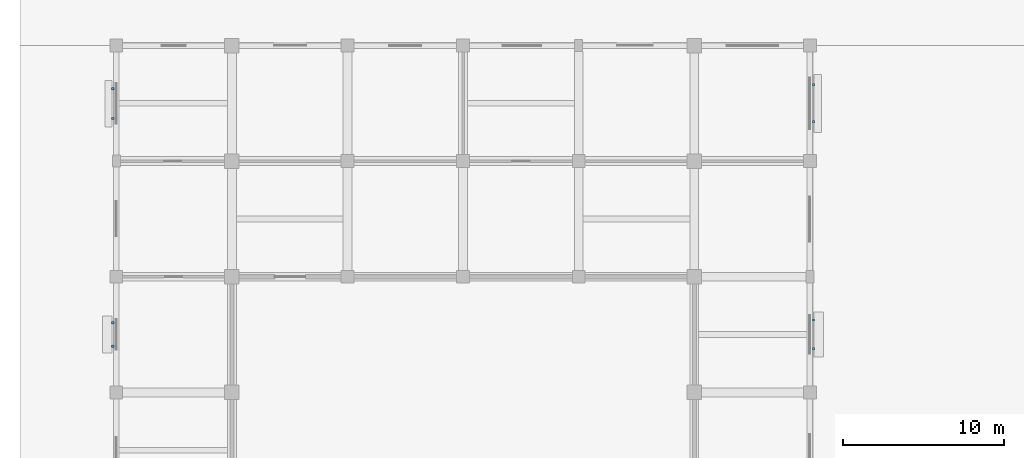
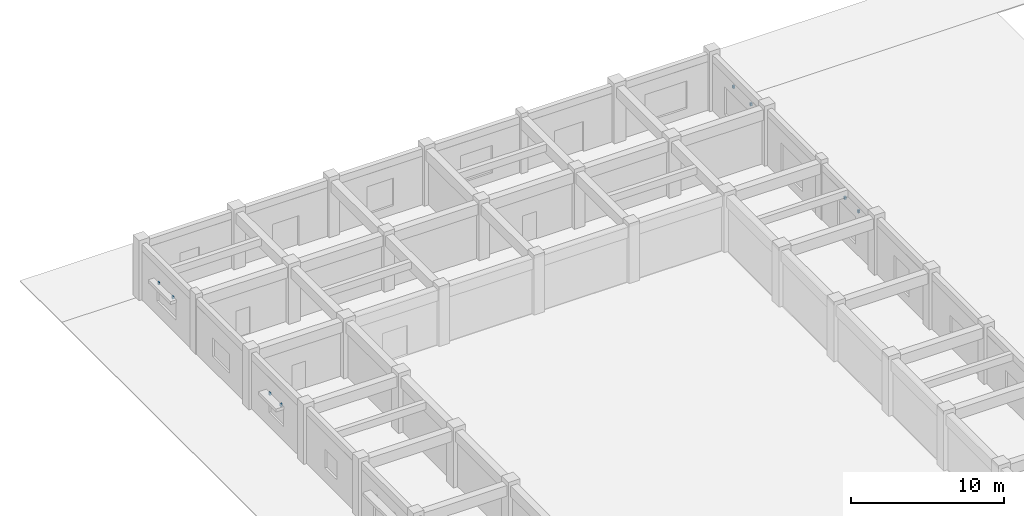
# One storey, part 29 of 37: 8 discrete accessories.
"""IFC4 building model written with IfcOpenShell, lengths in metres."""

from ifc_helpers import new_model, si_unit, direction, frame, origin, origin_2d, place, context, subcontext, project, spatial, rectangle, extrude, material, type_object, element, save


model = new_model("IFC4")

# Units and contexts
model_context = context("Model", 3, precision=1e-05, world=origin(), true_north=direction((0.0, 1.0)))
body_context = subcontext(model_context, "Body", "Model", "MODEL_VIEW")
ifc_project = project(units=[si_unit("LENGTHUNIT", "METRE"), si_unit("AREAUNIT", "SQUARE_METRE"), si_unit("VOLUMEUNIT", "CUBIC_METRE"), si_unit("PLANEANGLEUNIT", "RADIAN"), si_unit("MASSUNIT", "GRAM", prefix="KILO")], contexts=[model_context])

# Site, building, storey
site_placement = place(None, origin())
site = spatial("IfcSite", under=ifc_project, at=site_placement, CompositionType="ELEMENT")
building_placement = place(site_placement, origin())
building = spatial("IfcBuilding", under=site, at=building_placement, Name="Cendaluz Park School", CompositionType="ELEMENT")
storey_placement = place(building_placement, origin())
storey = spatial("IfcBuildingStorey", under=building, at=storey_placement, Name="L00", CompositionType="ELEMENT", Elevation=0.0)

# Discrete accessories
ifc_material = material(Name="Steel S355", Category="steel")
discrete_accessory_type = type_object("IfcDiscreteAccessoryType", Name="BK-01", PredefinedType="BRACKET", material=ifc_material)
for number, where, z_axis, x_axis, name in (
    (1, (-0.219970703125, 96.464111328125, 2.6298828125), (0.0, 0.0, 1.0), (0.0, 1.0, 0.0), "BK-L00-009"),
    (2, (-0.219970703125, 97.93603515625, 2.6298828125), (0.0, 0.0, 1.0), (0.0, 1.0, 0.0), "BK-L00-010"),
    (3, (-0.219970703125, 110.659423828125, 2.6298828125), (0.0, 0.0, 1.0), (0.0, 1.0, 0.0), "BK-L00-011"),
    (4, (-0.219970703125, 112.515380859375, 2.6298828125), (0.0, 0.0, 1.0), (0.0, 1.0, 0.0), "BK-L00-012"),
    (5, (43.419921875, 96.31640625, 2.93017578125), (0.0, 0.0, 1.0), (0.0, 1.0, 0.0), "BK-L00-027"),
    (6, (43.419921875, 98.1083984375, 2.93017578125), (0.0, 0.0, 1.0), (0.0, 1.0, 0.0), "BK-L00-028"),
    (7, (43.419921875, 110.447998046875, 2.93017578125), (0.0, 0.0, 1.0), (0.0, 1.0, 0.0), "BK-L00-029"),
    (8, (43.419921875, 112.751953125, 2.93017578125), (0.0, 0.0, 1.0), (0.0, 1.0, 0.0), "BK-L00-030"),
):
    element("IfcDiscreteAccessory", number, at=place(storey_placement, frame(where, z_axis=z_axis, x_axis=x_axis)), inside=storey, type_object=discrete_accessory_type, Name=name, PredefinedType="BRACKET", context=body_context, shape_type="SweptSolid", body=[
        extrude(rectangle(XDim=0.139892578125, YDim=0.139892578125, at=origin_2d()), origin(), (0.0, 0.0, 1.0), 0.219970703125),
    ])

save(model, "model.ifc")
